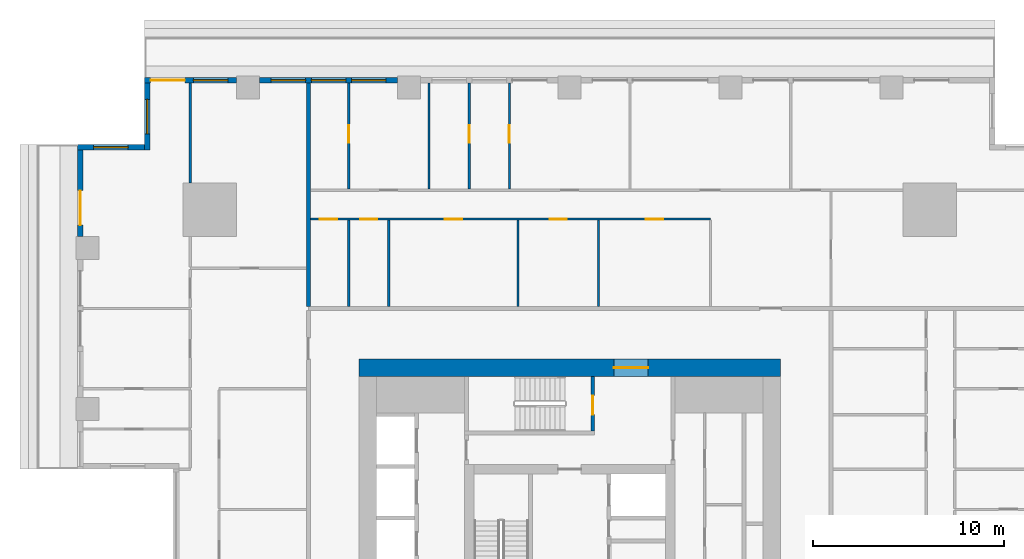
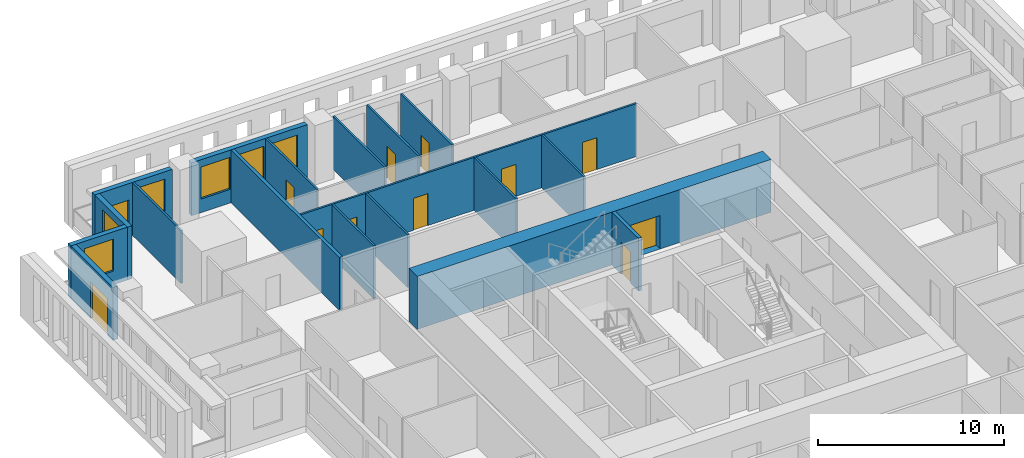
# One storey, part 7 of 14: 18 walls, 12 doors, 6 windows, 18 openings.
"""IFC4 building model written with IfcOpenShell, lengths in metres."""

from ifc_helpers import new_model, si_unit, direction, frame, frame_2d, origin, place, context, subcontext, project, spatial, rectangle, extrude, material, layer, layer_set, type_object, element, fill, save


model = new_model("IFC4")

# Units and contexts
model_context = context("Model", 3, precision=1e-05, world=origin(), true_north=direction((0.0, 1.0)))
body_context = subcontext(model_context, "Body", "Model", "MODEL_VIEW")
ifc_project = project(units=[si_unit("LENGTHUNIT", "METRE"), si_unit("AREAUNIT", "SQUARE_METRE"), si_unit("VOLUMEUNIT", "CUBIC_METRE"), si_unit("PLANEANGLEUNIT", "RADIAN"), si_unit("MASSUNIT", "GRAM", prefix="KILO")], contexts=[model_context])

# Site, building, storey
site_placement = place(None, origin())
site = spatial("IfcSite", under=ifc_project, at=site_placement, CompositionType="ELEMENT")
building_placement = place(site_placement, origin())
building = spatial("IfcBuilding", under=site, at=building_placement, Name="Khepri Terraces", CompositionType="ELEMENT")
storey_placement = place(building_placement, frame((0.0, 0.0, 90.89990234375)))
storey = spatial("IfcBuildingStorey", under=building, at=storey_placement, Name="L21", CompositionType="ELEMENT", Elevation=90.89990234375)

# Wall, opening, door
ifc_material_1 = material(Name="Concrete C70/85", Category="concrete")
ifc_layer_1 = layer(ifc_material_1, 0.199951171875, Name="Concrete C70/85", Category="concrete")
ifc_layer_set_1 = layer_set([ifc_layer_1], Name="Concrete C70/85")
wall_type_1 = type_object("IfcWallType", Name="Core wall 200 C70/85", PredefinedType="SHEAR", material=ifc_layer_set_1)
wall_1_placement = place(storey_placement, frame((1.199951171875, 7.25, 0.0), z_axis=(0.0, 0.0, 1.0), x_axis=(0.0, 1.0, 0.0)))
wall_1 = element("IfcWall", 1, at=wall_1_placement, inside=storey, type_object=wall_type_1, Name="Core wall ST07 L21", PredefinedType="SHEAR", context=body_context, shape_type="SweptSolid", body=[
    extrude(rectangle(XDim=2.85009765625, YDim=0.199951171875, at=frame_2d((1.425048828125, 0.0))), origin(), (0.0, 0.0, 1.0), 3.47998046875),
])
opening_1_placement = place(wall_1_placement, frame((0.85009765625, 0.0, 0.0)))
opening_1 = element("IfcOpeningElement", 2, at=opening_1_placement, cuts=wall_1, Name="Opening L21-C15", PredefinedType="OPENING", context=body_context, shape_type="SweptSolid", body=[
    extrude(rectangle(XDim=1.0, YDim=2.10009765625, at=frame_2d((0.5, 1.050048828125))), frame((0.0, 0.10986328125, 0.0), z_axis=(0.0, -1.0, 0.0), x_axis=(1.0, 0.0, 0.0)), (0.0, 0.0, 1.0), 0.219970703125),
])
ifc_material_2 = material(Name="Painted steel", Category="steel")
door_type_1 = type_object("IfcDoorType", Name="DR-CORE-STAIR-1000", OperationType="NOTDEFINED", PredefinedType="DOOR", material=ifc_material_2)
door_1_placement = place(opening_1_placement, origin())
door_1 = element("IfcDoor", 3, at=door_1_placement, inside=storey, type_object=door_type_1, Name="Stair door L21-C15", OperationType="SINGLE_SWING_LEFT", OverallHeight=2.10009765625, OverallWidth=1.0, PredefinedType="DOOR", context=body_context, shape_type="SweptSolid", body=[
    extrude(rectangle(XDim=1.0, YDim=2.10009765625, at=frame_2d((0.5, 1.050048828125))), frame((0.0, 0.02490234375, 0.0), z_axis=(0.0, -1.0, 0.0), x_axis=(1.0, 0.0, 0.0)), (0.0, 0.0, 1.0), 0.050048828125),
])
fill(opening_1, door_1)

ifc_layer_2 = layer(ifc_material_1, 0.89990234375, Name="Concrete C70/85", Category="concrete")
ifc_layer_set_2 = layer_set([ifc_layer_2], Name="Concrete C70/85")
wall_type_2 = type_object("IfcWallType", Name="Core wall 900 C70/85", PredefinedType="SHEAR", material=ifc_layer_set_2)
wall_2_placement = place(storey_placement, frame((-11.0, 10.550048828125, 0.0), z_axis=(0.0, 0.0, 1.0), x_axis=(1.0, 0.0, 0.0)))
wall_2 = element("IfcWall", 4, at=wall_2_placement, inside=storey, type_object=wall_type_2, Name="Core wall OW-N L21", PredefinedType="SHEAR", context=body_context, shape_type="SweptSolid", body=[
    extrude(rectangle(XDim=22.0, YDim=0.89990234375, at=frame_2d((11.0, 0.0))), origin(), (0.0, 0.0, 1.0), 3.47998046875),
])
opening_2_placement = place(wall_2_placement, frame((13.300048828125, 0.0, 0.0)))
opening_2 = element("IfcOpeningElement", 5, at=opening_2_placement, cuts=wall_2, Name="Opening L21-C20", PredefinedType="OPENING", context=body_context, shape_type="SweptSolid", body=[
    extrude(rectangle(XDim=1.800048828125, YDim=2.199951171875, at=frame_2d((0.89990234375, 1.10009765625))), frame((0.0, 0.4599609375, 0.0), z_axis=(0.0, -1.0, 0.0), x_axis=(1.0, 0.0, 0.0)), (0.0, 0.0, 1.0), 0.919921875),
])
door_type_2 = type_object("IfcDoorType", Name="DR-CORE-ENTRANCE-1800", OperationType="NOTDEFINED", PredefinedType="DOOR", material=ifc_material_2)
door_2_placement = place(opening_2_placement, origin())
door_2 = element("IfcDoor", 6, at=door_2_placement, inside=storey, type_object=door_type_2, Name="Core entrance door pair L21-C20", OperationType="DOUBLE_DOOR_SINGLE_SWING", OverallHeight=2.199951171875, OverallWidth=1.800048828125, PredefinedType="DOOR", context=body_context, shape_type="SweptSolid", body=[
    extrude(rectangle(XDim=1.800048828125, YDim=2.199951171875, at=frame_2d((0.89990234375, 1.10009765625))), frame((0.0, 0.02490234375, 0.0), z_axis=(0.0, -1.0, 0.0), x_axis=(1.0, 0.0, 0.0)), (0.0, 0.0, 1.0), 0.050048828125),
])
fill(opening_2, door_2)

# Wall
ifc_material_3 = material(Name="Fire-rated gypsum plasterboard partition, mineral wool")
ifc_layer_3 = layer(ifc_material_3, 0.199951171875, Name="Fire-rated gypsum plasterboard partition, mineral wool")
ifc_layer_set_3 = layer_set([ifc_layer_3], Name="Fire-rated gypsum plasterboard partition, mineral wool")
wall_type_3 = type_object("IfcWallType", Name="WL-CORR-200", PredefinedType="PARTITIONING", material=ifc_layer_set_3)
wall_3_placement = place(storey_placement, frame((-13.64990234375, 13.75, 0.0), z_axis=(0.0, 0.0, 1.0), x_axis=(0.0, 1.0, 0.0)))
element("IfcWall", 7, at=wall_3_placement, inside=storey, type_object=wall_type_3, Name="Partition P-076 L21", PredefinedType="PARTITIONING", context=body_context, shape_type="SweptSolid", body=[
    extrude(rectangle(XDim=11.669921875, YDim=0.199951171875, at=frame_2d((5.8349609375, 0.0))), origin(), (0.0, 0.0, 1.0), 3.47998046875),
])

# Wall, openings, windows
ifc_material_4 = material(Name="Precast concrete C50/60 warm stone", Category="masonry")
ifc_layer_4 = layer(ifc_material_4, 0.300048828125, Name="Precast concrete C50/60 warm stone", Category="masonry")
ifc_layer_set_4 = layer_set([ifc_layer_4], Name="Precast concrete C50/60 warm stone")
wall_type_4 = type_object("IfcWallType", Name="WL-EXT-PRECAST-300", PredefinedType="STANDARD", material=ifc_layer_set_4)
wall_4_placement = place(storey_placement, frame((-9.0, 25.570068359375, 0.0), z_axis=(0.0, 0.0, 1.0), x_axis=(-1.0, 0.0, 0.0)))
wall_4 = element("IfcWall", 8, at=wall_4_placement, inside=storey, type_object=wall_type_4, Name="External wall L21 N", PredefinedType="STANDARD", context=body_context, shape_type="SweptSolid", body=[
    extrude(rectangle(XDim=7.199951171875, YDim=0.300048828125, at=frame_2d((3.60009765625, 0.0))), origin(), (0.0, 0.0, 1.0), 3.47998046875),
])
opening_3_placement = place(wall_4_placement, frame((0.60009765625, 0.0, 0.89990234375)))
opening_3 = element("IfcOpeningElement", 9, at=opening_3_placement, cuts=wall_4, Name="Opening W1", PredefinedType="OPENING", context=body_context, shape_type="SweptSolid", body=[
    extrude(rectangle(XDim=1.800048828125, YDim=2.10009765625, at=frame_2d((0.89990234375, 1.050048828125))), frame((0.0, 0.16015625, 0.0), z_axis=(0.0, -1.0, 0.0), x_axis=(1.0, 0.0, 0.0)), (0.0, 0.0, 1.0), 0.320068359375),
])
opening_4_placement = place(wall_4_placement, frame((2.699951171875, 0.0, 0.89990234375)))
opening_4 = element("IfcOpeningElement", 10, at=opening_4_placement, cuts=wall_4, Name="Opening W1", PredefinedType="OPENING", context=body_context, shape_type="SweptSolid", body=[
    extrude(rectangle(XDim=1.800048828125, YDim=2.10009765625, at=frame_2d((0.89990234375, 1.050048828125))), frame((0.0, 0.16015625, 0.0), z_axis=(0.0, -1.0, 0.0), x_axis=(1.0, 0.0, 0.0)), (0.0, 0.0, 1.0), 0.320068359375),
])
opening_5_placement = place(wall_4_placement, frame((4.800048828125, 0.0, 0.89990234375)))
opening_5 = element("IfcOpeningElement", 11, at=opening_5_placement, cuts=wall_4, Name="Opening W1", PredefinedType="OPENING", context=body_context, shape_type="SweptSolid", body=[
    extrude(rectangle(XDim=1.800048828125, YDim=2.10009765625, at=frame_2d((0.89990234375, 1.050048828125))), frame((0.0, 0.16015625, 0.0), z_axis=(0.0, -1.0, 0.0), x_axis=(1.0, 0.0, 0.0)), (0.0, 0.0, 1.0), 0.320068359375),
])
ifc_material_5 = material(Name="Clear glass", Category="glass")
window_type = type_object("IfcWindowType", Name="WIN-RES-1800x2100", PartitioningType="SINGLE_PANEL", PredefinedType="WINDOW", material=ifc_material_5)
window_1_placement = place(opening_3_placement, origin())
window_1 = element("IfcWindow", 12, at=window_1_placement, inside=storey, type_object=window_type, Name="Window L21 N", OverallHeight=2.10009765625, OverallWidth=1.800048828125, PartitioningType="SINGLE_PANEL", PredefinedType="WINDOW", context=body_context, shape_type="SweptSolid", body=[
    extrude(rectangle(XDim=1.800048828125, YDim=2.10009765625, at=frame_2d((0.89990234375, 1.050048828125))), frame((0.0, 0.030029296875, 0.0), z_axis=(0.0, -1.0, 0.0), x_axis=(1.0, 0.0, 0.0)), (0.0, 0.0, 1.0), 0.06005859375),
])
fill(opening_3, window_1)
window_2_placement = place(opening_4_placement, origin())
window_2 = element("IfcWindow", 13, at=window_2_placement, inside=storey, type_object=window_type, Name="Window L21 N", OverallHeight=2.10009765625, OverallWidth=1.800048828125, PartitioningType="SINGLE_PANEL", PredefinedType="WINDOW", context=body_context, shape_type="SweptSolid", body=[
    extrude(rectangle(XDim=1.800048828125, YDim=2.10009765625, at=frame_2d((0.89990234375, 1.050048828125))), frame((0.0, 0.030029296875, 0.0), z_axis=(0.0, -1.0, 0.0), x_axis=(1.0, 0.0, 0.0)), (0.0, 0.0, 1.0), 0.06005859375),
])
fill(opening_4, window_2)
window_3_placement = place(opening_5_placement, origin())
window_3 = element("IfcWindow", 14, at=window_3_placement, inside=storey, type_object=window_type, Name="Window L21 N", OverallHeight=2.10009765625, OverallWidth=1.800048828125, PartitioningType="SINGLE_PANEL", PredefinedType="WINDOW", context=body_context, shape_type="SweptSolid", body=[
    extrude(rectangle(XDim=1.800048828125, YDim=2.10009765625, at=frame_2d((0.89990234375, 1.050048828125))), frame((0.0, 0.030029296875, 0.0), z_axis=(0.0, -1.0, 0.0), x_axis=(1.0, 0.0, 0.0)), (0.0, 0.0, 1.0), 0.06005859375),
])
fill(opening_5, window_3)

# Wall, openings, door, window
wall_5_placement = place(storey_placement, frame((-17.39990234375, 25.570068359375, 0.0), z_axis=(0.0, 0.0, 1.0), x_axis=(-1.0, 0.0, 0.0)))
wall_5 = element("IfcWall", 15, at=wall_5_placement, inside=storey, type_object=wall_type_4, Name="External wall L21 N", PredefinedType="STANDARD", context=body_context, shape_type="SweptSolid", body=[
    extrude(rectangle(XDim=4.820068359375, YDim=0.300048828125, at=frame_2d((2.41015625, 0.0))), origin(), (0.0, 0.0, 1.0), 3.47998046875),
])
opening_6_placement = place(wall_5_placement, frame((2.699951171875, 0.0, 0.0)))
opening_6 = element("IfcOpeningElement", 16, at=opening_6_placement, cuts=wall_5, Name="Opening ED-L21-13", PredefinedType="OPENING", context=body_context, shape_type="SweptSolid", body=[
    extrude(rectangle(XDim=1.800048828125, YDim=2.39990234375, at=frame_2d((0.89990234375, 1.199951171875))), frame((0.0, 0.16015625, 0.0), z_axis=(0.0, -1.0, 0.0), x_axis=(1.0, 0.0, 0.0)), (0.0, 0.0, 1.0), 0.320068359375),
])
opening_7_placement = place(wall_5_placement, frame((0.4599609375, 0.0, 0.89990234375)))
opening_7 = element("IfcOpeningElement", 17, at=opening_7_placement, cuts=wall_5, Name="Opening W1", PredefinedType="OPENING", context=body_context, shape_type="SweptSolid", body=[
    extrude(rectangle(XDim=1.800048828125, YDim=2.10009765625, at=frame_2d((0.89990234375, 1.050048828125))), frame((0.0, 0.16015625, 0.0), z_axis=(0.0, -1.0, 0.0), x_axis=(1.0, 0.0, 0.0)), (0.0, 0.0, 1.0), 0.320068359375),
])
ifc_material_6 = material(Name="Anodised aluminium bronze glazed door", Category="aluminium")
door_type_3 = type_object("IfcDoorType", Name="DR-BAL-SLIDE-1800x2400", OperationType="NOTDEFINED", PredefinedType="DOOR", material=ifc_material_6)
door_3_placement = place(opening_6_placement, origin())
door_3 = element("IfcDoor", 18, at=door_3_placement, inside=storey, type_object=door_type_3, Name="Balcony door L21 N", OperationType="SLIDING_TO_LEFT", OverallHeight=2.39990234375, OverallWidth=1.800048828125, PredefinedType="DOOR", context=body_context, shape_type="SweptSolid", body=[
    extrude(rectangle(XDim=1.800048828125, YDim=2.39990234375, at=frame_2d((0.89990234375, 1.199951171875))), frame((0.0, 0.02490234375, 0.0), z_axis=(0.0, -1.0, 0.0), x_axis=(1.0, 0.0, 0.0)), (0.0, 0.0, 1.0), 0.050048828125),
])
fill(opening_6, door_3)
window_4_placement = place(opening_7_placement, origin())
window_4 = element("IfcWindow", 19, at=window_4_placement, inside=storey, type_object=window_type, Name="Window L21 N", OverallHeight=2.10009765625, OverallWidth=1.800048828125, PartitioningType="SINGLE_PANEL", PredefinedType="WINDOW", context=body_context, shape_type="SweptSolid", body=[
    extrude(rectangle(XDim=1.800048828125, YDim=2.10009765625, at=frame_2d((0.89990234375, 1.050048828125))), frame((0.0, 0.030029296875, 0.0), z_axis=(0.0, -1.0, 0.0), x_axis=(1.0, 0.0, 0.0)), (0.0, 0.0, 1.0), 0.06005859375),
])
fill(opening_7, window_4)

# Wall, opening, window
wall_6_placement = place(storey_placement, frame((-22.070068359375, 25.419921875, 0.0), z_axis=(0.0, 0.0, 1.0), x_axis=(0.0, -1.0, 0.0)))
wall_6 = element("IfcWall", 20, at=wall_6_placement, inside=storey, type_object=wall_type_4, Name="External wall L21 W", PredefinedType="STANDARD", context=body_context, shape_type="SweptSolid", body=[
    extrude(rectangle(XDim=3.5, YDim=0.300048828125, at=frame_2d((1.75, 0.0))), origin(), (0.0, 0.0, 1.0), 3.47998046875),
])
opening_8_placement = place(wall_6_placement, frame((0.85009765625, 0.0, 0.89990234375)))
opening_8 = element("IfcOpeningElement", 21, at=opening_8_placement, cuts=wall_6, Name="Opening W1", PredefinedType="OPENING", context=body_context, shape_type="SweptSolid", body=[
    extrude(rectangle(XDim=1.800048828125, YDim=2.10009765625, at=frame_2d((0.89990234375, 1.050048828125))), frame((0.0, 0.16015625, 0.0), z_axis=(0.0, -1.0, 0.0), x_axis=(1.0, 0.0, 0.0)), (0.0, 0.0, 1.0), 0.320068359375),
])
window_5_placement = place(opening_8_placement, origin())
window_5 = element("IfcWindow", 22, at=window_5_placement, inside=storey, type_object=window_type, Name="Window L21 W", OverallHeight=2.10009765625, OverallWidth=1.800048828125, PartitioningType="SINGLE_PANEL", PredefinedType="WINDOW", context=body_context, shape_type="SweptSolid", body=[
    extrude(rectangle(XDim=1.800048828125, YDim=2.10009765625, at=frame_2d((0.89990234375, 1.050048828125))), frame((0.0, 0.030029296875, 0.0), z_axis=(0.0, -1.0, 0.0), x_axis=(1.0, 0.0, 0.0)), (0.0, 0.0, 1.0), 0.06005859375),
])
fill(opening_8, window_5)

wall_7_placement = place(storey_placement, frame((-22.219970703125, 22.070068359375, 0.0), z_axis=(0.0, 0.0, 1.0), x_axis=(-1.0, 0.0, 0.0)))
wall_7 = element("IfcWall", 23, at=wall_7_placement, inside=storey, type_object=wall_type_4, Name="External wall L21 N", PredefinedType="STANDARD", context=body_context, shape_type="SweptSolid", body=[
    extrude(rectangle(XDim=3.5, YDim=0.300048828125, at=frame_2d((1.75, 0.0))), origin(), (0.0, 0.0, 1.0), 3.47998046875),
])
opening_9_placement = place(wall_7_placement, frame((0.85009765625, 0.0, 0.89990234375)))
opening_9 = element("IfcOpeningElement", 24, at=opening_9_placement, cuts=wall_7, Name="Opening W1", PredefinedType="OPENING", context=body_context, shape_type="SweptSolid", body=[
    extrude(rectangle(XDim=1.800048828125, YDim=2.10009765625, at=frame_2d((0.89990234375, 1.050048828125))), frame((0.0, 0.16015625, 0.0), z_axis=(0.0, -1.0, 0.0), x_axis=(1.0, 0.0, 0.0)), (0.0, 0.0, 1.0), 0.320068359375),
])
window_6_placement = place(opening_9_placement, origin())
window_6 = element("IfcWindow", 25, at=window_6_placement, inside=storey, type_object=window_type, Name="Window L21 N", OverallHeight=2.10009765625, OverallWidth=1.800048828125, PartitioningType="SINGLE_PANEL", PredefinedType="WINDOW", context=body_context, shape_type="SweptSolid", body=[
    extrude(rectangle(XDim=1.800048828125, YDim=2.10009765625, at=frame_2d((0.89990234375, 1.050048828125))), frame((0.0, 0.030029296875, 0.0), z_axis=(0.0, -1.0, 0.0), x_axis=(1.0, 0.0, 0.0)), (0.0, 0.0, 1.0), 0.06005859375),
])
fill(opening_9, window_6)

# Wall, opening, door
wall_8_placement = place(storey_placement, frame((-25.570068359375, 21.919921875, 0.0), z_axis=(0.0, 0.0, 1.0), x_axis=(0.0, -1.0, 0.0)))
wall_8 = element("IfcWall", 26, at=wall_8_placement, inside=storey, type_object=wall_type_4, Name="External wall L21 W", PredefinedType="STANDARD", context=body_context, shape_type="SweptSolid", body=[
    extrude(rectangle(XDim=4.52001953125, YDim=0.300048828125, at=frame_2d((2.260009765625, 0.0))), origin(), (0.0, 0.0, 1.0), 3.47998046875),
])
opening_10_placement = place(wall_8_placement, frame((2.1201171875, 0.0, 0.0)))
opening_10 = element("IfcOpeningElement", 27, at=opening_10_placement, cuts=wall_8, Name="Opening ED-L21-14", PredefinedType="OPENING", context=body_context, shape_type="SweptSolid", body=[
    extrude(rectangle(XDim=1.800048828125, YDim=2.39990234375, at=frame_2d((0.89990234375, 1.199951171875))), frame((0.0, 0.16015625, 0.0), z_axis=(0.0, -1.0, 0.0), x_axis=(1.0, 0.0, 0.0)), (0.0, 0.0, 1.0), 0.320068359375),
])
door_4_placement = place(opening_10_placement, origin())
door_4 = element("IfcDoor", 28, at=door_4_placement, inside=storey, type_object=door_type_3, Name="Balcony door L21 W", OperationType="SLIDING_TO_RIGHT", OverallHeight=2.39990234375, OverallWidth=1.800048828125, PredefinedType="DOOR", context=body_context, shape_type="SweptSolid", body=[
    extrude(rectangle(XDim=1.800048828125, YDim=2.39990234375, at=frame_2d((0.89990234375, 1.199951171875))), frame((0.0, 0.02490234375, 0.0), z_axis=(0.0, -1.0, 0.0), x_axis=(1.0, 0.0, 0.0)), (0.0, 0.0, 1.0), 0.050048828125),
])
fill(opening_10, door_4)

# Walls
ifc_material_7 = material(Name="Gypsum plasterboard partition")
ifc_layer_5 = layer(ifc_material_7, 0.1201171875, Name="Gypsum plasterboard partition")
ifc_layer_set_5 = layer_set([ifc_layer_5], Name="Gypsum plasterboard partition")
wall_type_5 = type_object("IfcWallType", Name="WL-PART-120", PredefinedType="PARTITIONING", material=ifc_layer_set_5)
for number, where, z_axis, x_axis, name in (
    (29, (-11.550048828125, 13.75, 0.0), (0.0, 0.0, 1.0), (0.0, 1.0, 0.0), "Partition P-077 L21"),
    (30, (-9.449951171875, 13.75, 0.0), (0.0, 0.0, 1.0), (0.0, 1.0, 0.0), "Partition P-078 L21"),
    (31, (-2.699951171875, 13.75, 0.0), (0.0, 0.0, 1.0), (0.0, 1.0, 0.0), "Partition P-079 L21"),
    (32, (1.5, 13.75, 0.0), (0.0, 0.0, 1.0), (0.0, 1.0, 0.0), "Partition P-080 L21"),
):
    element("IfcWall", number, at=place(storey_placement, frame(where, z_axis=z_axis, x_axis=x_axis)), inside=storey, type_object=wall_type_5, Name=name, PredefinedType="PARTITIONING", context=body_context, shape_type="SweptSolid", body=[
        extrude(rectangle(XDim=4.510009765625, YDim=0.1201171875, at=frame_2d((2.2548828125, 0.0))), origin(), (0.0, 0.0, 1.0), 3.47998046875),
    ])

# Wall, openings, doors
wall_9_placement = place(storey_placement, frame((-13.550048828125, 18.320068359375, 0.0), z_axis=(0.0, 0.0, 1.0), x_axis=(1.0, 0.0, 0.0)))
wall_9 = element("IfcWall", 33, at=wall_9_placement, inside=storey, type_object=wall_type_5, Name="Partition P-085 L21", PredefinedType="PARTITIONING", context=body_context, shape_type="SweptSolid", body=[
    extrude(rectangle(XDim=20.900146484375, YDim=0.1201171875, at=frame_2d((10.4501953125, 0.0))), origin(), (0.0, 0.0, 1.0), 3.47998046875),
])
opening_11_placement = place(wall_9_placement, frame((17.52490234375, 0.0, 0.0)))
opening_11 = element("IfcOpeningElement", 34, at=opening_11_placement, cuts=wall_9, Name="Opening D3", PredefinedType="OPENING", context=body_context, shape_type="SweptSolid", body=[
    extrude(rectangle(XDim=0.89990234375, YDim=2.10009765625, at=frame_2d((0.449951171875, 1.050048828125))), frame((0.0, 0.070068359375, 0.0), z_axis=(0.0, -1.0, 0.0), x_axis=(1.0, 0.0, 0.0)), (0.0, 0.0, 1.0), 0.14013671875),
])
opening_12_placement = place(wall_9_placement, frame((12.5, 0.0, 0.0)))
opening_12 = element("IfcOpeningElement", 35, at=opening_12_placement, cuts=wall_9, Name="Opening D3", PredefinedType="OPENING", context=body_context, shape_type="SweptSolid", body=[
    extrude(rectangle(XDim=0.89990234375, YDim=2.10009765625, at=frame_2d((0.449951171875, 1.050048828125))), frame((0.0, 0.070068359375, 0.0), z_axis=(0.0, -1.0, 0.0), x_axis=(1.0, 0.0, 0.0)), (0.0, 0.0, 1.0), 0.14013671875),
])
opening_13_placement = place(wall_9_placement, frame((7.02490234375, 0.0, 0.0)))
opening_13 = element("IfcOpeningElement", 36, at=opening_13_placement, cuts=wall_9, Name="Opening D3", PredefinedType="OPENING", context=body_context, shape_type="SweptSolid", body=[
    extrude(rectangle(XDim=0.89990234375, YDim=2.10009765625, at=frame_2d((0.449951171875, 1.050048828125))), frame((0.0, 0.070068359375, 0.0), z_axis=(0.0, -1.0, 0.0), x_axis=(1.0, 0.0, 0.0)), (0.0, 0.0, 1.0), 0.14013671875),
])
opening_14_placement = place(wall_9_placement, frame((2.60009765625, 0.0, 0.0)))
opening_14 = element("IfcOpeningElement", 37, at=opening_14_placement, cuts=wall_9, Name="Opening D4", PredefinedType="OPENING", context=body_context, shape_type="SweptSolid", body=[
    extrude(rectangle(XDim=0.89990234375, YDim=2.10009765625, at=frame_2d((0.449951171875, 1.050048828125))), frame((0.0, 0.070068359375, 0.0), z_axis=(0.0, -1.0, 0.0), x_axis=(1.0, 0.0, 0.0)), (0.0, 0.0, 1.0), 0.14013671875),
])
opening_15_placement = place(wall_9_placement, frame((0.5, 0.0, 0.0)))
opening_15 = element("IfcOpeningElement", 38, at=opening_15_placement, cuts=wall_9, Name="Opening D4", PredefinedType="OPENING", context=body_context, shape_type="SweptSolid", body=[
    extrude(rectangle(XDim=0.89990234375, YDim=2.10009765625, at=frame_2d((0.449951171875, 1.050048828125))), frame((0.0, 0.070068359375, 0.0), z_axis=(0.0, -1.0, 0.0), x_axis=(1.0, 0.0, 0.0)), (0.0, 0.0, 1.0), 0.14013671875),
])
ifc_material_8 = material(Name="Timber door leaf", Category="wood")
door_type_4 = type_object("IfcDoorType", Name="DR-INT-900", OperationType="NOTDEFINED", PredefinedType="DOOR", material=ifc_material_8)
door_5_placement = place(opening_11_placement, frame((0.89990234375, 0.0, 0.0), z_axis=(0.0, 0.0, 1.0), x_axis=(-1.0, 0.0, 0.0)))
door_5 = element("IfcDoor", 39, at=door_5_placement, inside=storey, type_object=door_type_4, Name="Door Kitchen", OperationType="SINGLE_SWING_LEFT", OverallHeight=2.10009765625, OverallWidth=0.89990234375, PredefinedType="DOOR", context=body_context, shape_type="SweptSolid", body=[
    extrude(rectangle(XDim=0.89990234375, YDim=2.10009765625, at=frame_2d((0.449951171875, 1.050048828125))), frame((0.0, 0.02490234375, 0.0), z_axis=(0.0, -1.0, 0.0), x_axis=(1.0, 0.0, 0.0)), (0.0, 0.0, 1.0), 0.050048828125),
])
fill(opening_11, door_5)
door_6_placement = place(opening_12_placement, frame((0.89990234375, 0.0, 0.0), z_axis=(0.0, 0.0, 1.0), x_axis=(-1.0, 0.0, 0.0)))
door_6 = element("IfcDoor", 40, at=door_6_placement, inside=storey, type_object=door_type_4, Name="Door Service Kitchen", OperationType="SINGLE_SWING_LEFT", OverallHeight=2.10009765625, OverallWidth=0.89990234375, PredefinedType="DOOR", context=body_context, shape_type="SweptSolid", body=[
    extrude(rectangle(XDim=0.89990234375, YDim=2.10009765625, at=frame_2d((0.449951171875, 1.050048828125))), frame((0.0, 0.02490234375, 0.0), z_axis=(0.0, -1.0, 0.0), x_axis=(1.0, 0.0, 0.0)), (0.0, 0.0, 1.0), 0.050048828125),
])
fill(opening_12, door_6)
door_7_placement = place(opening_13_placement, frame((0.89990234375, 0.0, 0.0), z_axis=(0.0, 0.0, 1.0), x_axis=(-1.0, 0.0, 0.0)))
door_7 = element("IfcDoor", 41, at=door_7_placement, inside=storey, type_object=door_type_4, Name="Door Staff Bedroom", OperationType="SINGLE_SWING_RIGHT", OverallHeight=2.10009765625, OverallWidth=0.89990234375, PredefinedType="DOOR", context=body_context, shape_type="SweptSolid", body=[
    extrude(rectangle(XDim=0.89990234375, YDim=2.10009765625, at=frame_2d((0.449951171875, 1.050048828125))), frame((0.0, 0.02490234375, 0.0), z_axis=(0.0, -1.0, 0.0), x_axis=(1.0, 0.0, 0.0)), (0.0, 0.0, 1.0), 0.050048828125),
])
fill(opening_13, door_7)
ifc_material_9 = material(Name="Timber door leaf, moisture resistant", Category="wood")
door_type_5 = type_object("IfcDoorType", Name="DR-WET-900", OperationType="NOTDEFINED", PredefinedType="DOOR", material=ifc_material_9)
door_8_placement = place(opening_14_placement, frame((0.89990234375, 0.0, 0.0), z_axis=(0.0, 0.0, 1.0), x_axis=(-1.0, 0.0, 0.0)))
door_8 = element("IfcDoor", 42, at=door_8_placement, inside=storey, type_object=door_type_5, Name="Door Powder Room", OperationType="SINGLE_SWING_RIGHT", OverallHeight=2.10009765625, OverallWidth=0.89990234375, PredefinedType="DOOR", context=body_context, shape_type="SweptSolid", body=[
    extrude(rectangle(XDim=0.89990234375, YDim=2.10009765625, at=frame_2d((0.449951171875, 1.050048828125))), frame((0.0, 0.02490234375, 0.0), z_axis=(0.0, -1.0, 0.0), x_axis=(1.0, 0.0, 0.0)), (0.0, 0.0, 1.0), 0.050048828125),
])
fill(opening_14, door_8)
door_9_placement = place(opening_15_placement, frame((0.89990234375, 0.0, 0.0), z_axis=(0.0, 0.0, 1.0), x_axis=(-1.0, 0.0, 0.0)))
door_9 = element("IfcDoor", 43, at=door_9_placement, inside=storey, type_object=door_type_5, Name="Door Guest Bathroom", OperationType="SINGLE_SWING_RIGHT", OverallHeight=2.10009765625, OverallWidth=0.89990234375, PredefinedType="DOOR", context=body_context, shape_type="SweptSolid", body=[
    extrude(rectangle(XDim=0.89990234375, YDim=2.10009765625, at=frame_2d((0.449951171875, 1.050048828125))), frame((0.0, 0.02490234375, 0.0), z_axis=(0.0, -1.0, 0.0), x_axis=(1.0, 0.0, 0.0)), (0.0, 0.0, 1.0), 0.050048828125),
])
fill(opening_15, door_9)

# Wall, opening, door
wall_10_placement = place(storey_placement, frame((-11.550048828125, 19.8798828125, 0.0), z_axis=(0.0, 0.0, 1.0), x_axis=(0.0, 1.0, 0.0)))
wall_10 = element("IfcWall", 44, at=wall_10_placement, inside=storey, type_object=wall_type_5, Name="Partition P-088 L21", PredefinedType="PARTITIONING", context=body_context, shape_type="SweptSolid", body=[
    extrude(rectangle(XDim=5.5400390625, YDim=0.1201171875, at=frame_2d((2.77001953125, 0.0))), origin(), (0.0, 0.0, 1.0), 3.47998046875),
])
opening_16_placement = place(wall_10_placement, frame((2.43994140625, 0.0, 0.0)))
opening_16 = element("IfcOpeningElement", 45, at=opening_16_placement, cuts=wall_10, Name="Opening D4", PredefinedType="OPENING", context=body_context, shape_type="SweptSolid", body=[
    extrude(rectangle(XDim=0.89990234375, YDim=2.10009765625, at=frame_2d((0.449951171875, 1.050048828125))), frame((0.0, 0.070068359375, 0.0), z_axis=(0.0, -1.0, 0.0), x_axis=(1.0, 0.0, 0.0)), (0.0, 0.0, 1.0), 0.14013671875),
])
door_10_placement = place(opening_16_placement, origin())
door_10 = element("IfcDoor", 46, at=door_10_placement, inside=storey, type_object=door_type_5, Name="Door Bathroom", OperationType="SINGLE_SWING_RIGHT", OverallHeight=2.10009765625, OverallWidth=0.89990234375, PredefinedType="DOOR", context=body_context, shape_type="SweptSolid", body=[
    extrude(rectangle(XDim=0.89990234375, YDim=2.10009765625, at=frame_2d((0.449951171875, 1.050048828125))), frame((0.0, 0.02490234375, 0.0), z_axis=(0.0, -1.0, 0.0), x_axis=(1.0, 0.0, 0.0)), (0.0, 0.0, 1.0), 0.050048828125),
])
fill(opening_16, door_10)

# Wall
wall_11_placement = place(storey_placement, frame((-7.35009765625, 19.8798828125, 0.0), z_axis=(0.0, 0.0, 1.0), x_axis=(0.0, 1.0, 0.0)))
element("IfcWall", 47, at=wall_11_placement, inside=storey, type_object=wall_type_5, Name="Partition P-089 L21", PredefinedType="PARTITIONING", context=body_context, shape_type="SweptSolid", body=[
    extrude(rectangle(XDim=5.5400390625, YDim=0.1201171875, at=frame_2d((2.77001953125, 0.0))), origin(), (0.0, 0.0, 1.0), 3.47998046875),
])

# Wall, opening, door
wall_12_placement = place(storey_placement, frame((-5.25, 19.8798828125, 0.0), z_axis=(0.0, 0.0, 1.0), x_axis=(0.0, 1.0, 0.0)))
wall_12 = element("IfcWall", 48, at=wall_12_placement, inside=storey, type_object=wall_type_5, Name="Partition P-090 L21", PredefinedType="PARTITIONING", context=body_context, shape_type="SweptSolid", body=[
    extrude(rectangle(XDim=5.5400390625, YDim=0.1201171875, at=frame_2d((2.77001953125, 0.0))), origin(), (0.0, 0.0, 1.0), 3.47998046875),
])
opening_17_placement = place(wall_12_placement, frame((2.43994140625, 0.0, 0.0)))
opening_17 = element("IfcOpeningElement", 49, at=opening_17_placement, cuts=wall_12, Name="Opening D4", PredefinedType="OPENING", context=body_context, shape_type="SweptSolid", body=[
    extrude(rectangle(XDim=0.89990234375, YDim=2.10009765625, at=frame_2d((0.449951171875, 1.050048828125))), frame((0.0, 0.070068359375, 0.0), z_axis=(0.0, -1.0, 0.0), x_axis=(1.0, 0.0, 0.0)), (0.0, 0.0, 1.0), 0.14013671875),
])
door_11_placement = place(opening_17_placement, origin())
door_11 = element("IfcDoor", 50, at=door_11_placement, inside=storey, type_object=door_type_5, Name="Door Bathroom", OperationType="SINGLE_SWING_RIGHT", OverallHeight=2.10009765625, OverallWidth=0.89990234375, PredefinedType="DOOR", context=body_context, shape_type="SweptSolid", body=[
    extrude(rectangle(XDim=0.89990234375, YDim=2.10009765625, at=frame_2d((0.449951171875, 1.050048828125))), frame((0.0, 0.02490234375, 0.0), z_axis=(0.0, -1.0, 0.0), x_axis=(1.0, 0.0, 0.0)), (0.0, 0.0, 1.0), 0.050048828125),
])
fill(opening_17, door_11)

wall_13_placement = place(storey_placement, frame((-3.14990234375, 19.8798828125, 0.0), z_axis=(0.0, 0.0, 1.0), x_axis=(0.0, 1.0, 0.0)))
wall_13 = element("IfcWall", 51, at=wall_13_placement, inside=storey, type_object=wall_type_5, Name="Partition P-091 L21", PredefinedType="PARTITIONING", context=body_context, shape_type="SweptSolid", body=[
    extrude(rectangle(XDim=5.5400390625, YDim=0.1201171875, at=frame_2d((2.77001953125, 0.0))), origin(), (0.0, 0.0, 1.0), 3.47998046875),
])
opening_18_placement = place(wall_13_placement, frame((2.43994140625, 0.0, 0.0)))
opening_18 = element("IfcOpeningElement", 52, at=opening_18_placement, cuts=wall_13, Name="Opening D3", PredefinedType="OPENING", context=body_context, shape_type="SweptSolid", body=[
    extrude(rectangle(XDim=0.89990234375, YDim=2.10009765625, at=frame_2d((0.449951171875, 1.050048828125))), frame((0.0, 0.070068359375, 0.0), z_axis=(0.0, -1.0, 0.0), x_axis=(1.0, 0.0, 0.0)), (0.0, 0.0, 1.0), 0.14013671875),
])
door_12_placement = place(opening_18_placement, origin())
door_12 = element("IfcDoor", 53, at=door_12_placement, inside=storey, type_object=door_type_4, Name="Door Dressing Room", OperationType="SINGLE_SWING_RIGHT", OverallHeight=2.10009765625, OverallWidth=0.89990234375, PredefinedType="DOOR", context=body_context, shape_type="SweptSolid", body=[
    extrude(rectangle(XDim=0.89990234375, YDim=2.10009765625, at=frame_2d((0.449951171875, 1.050048828125))), frame((0.0, 0.02490234375, 0.0), z_axis=(0.0, -1.0, 0.0), x_axis=(1.0, 0.0, 0.0)), (0.0, 0.0, 1.0), 0.050048828125),
])
fill(opening_18, door_12)

# Wall
wall_14_placement = place(storey_placement, frame((-19.820068359375, 20.199951171875, 0.0), z_axis=(0.0, 0.0, 1.0), x_axis=(0.0, 1.0, 0.0)))
element("IfcWall", 54, at=wall_14_placement, inside=storey, type_object=wall_type_5, Name="Partition P-094 L21", PredefinedType="PARTITIONING", context=body_context, shape_type="SweptSolid", body=[
    extrude(rectangle(XDim=5.219970703125, YDim=0.1201171875, at=frame_2d((2.60986328125, 0.0))), origin(), (0.0, 0.0, 1.0), 3.47998046875),
])

save(model, "model.ifc")
